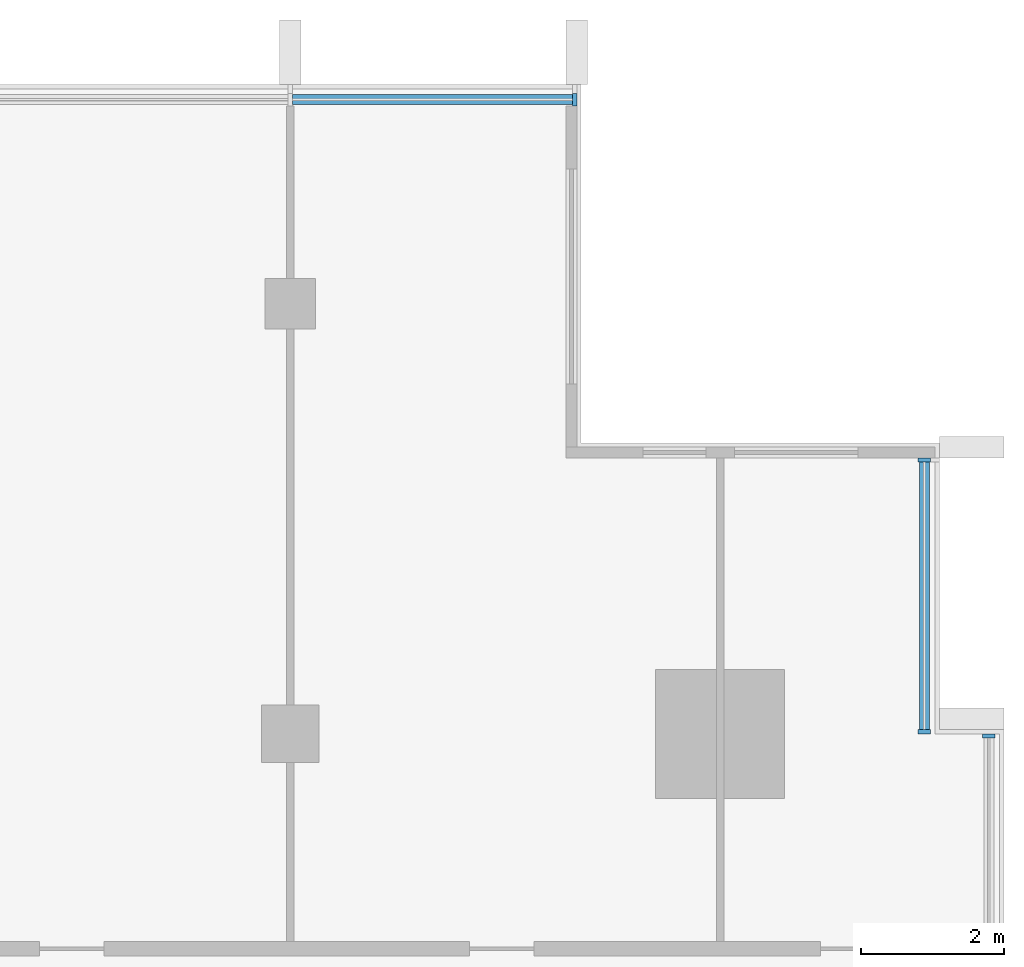
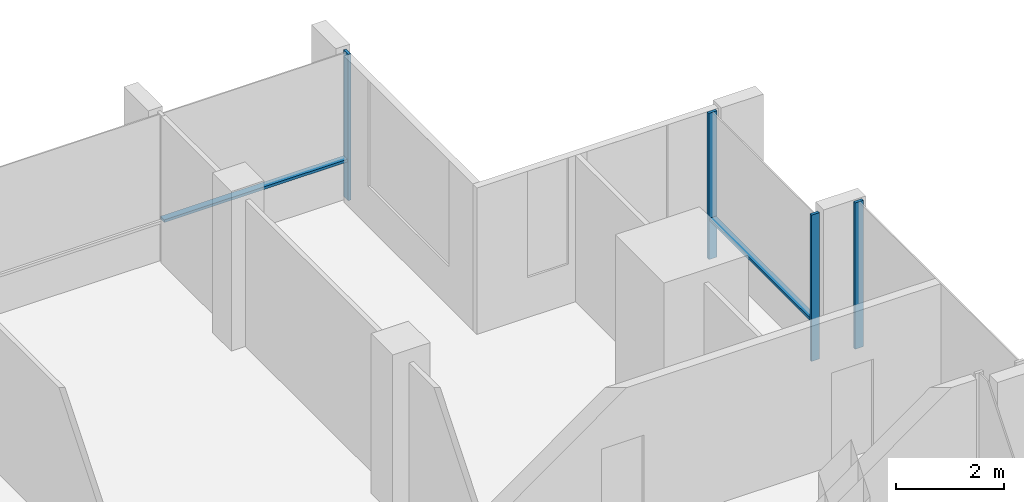
# One storey, part 5 of 15: 6 members, 3 elements without a shape of their own.
"""IFC4 building model written with IfcOpenShell, lengths in metres."""

from ifc_helpers import new_model, si_unit, direction, frame, origin, origin_2d, place, context, subcontext, project, spatial, rectangle, extrude, material, material_profile, profile_set, type_object, element, aggregate, save


model = new_model("IFC4")

# Units and contexts
model_context = context("Model", 3, precision=1e-05, world=origin(), true_north=direction((0.0, 1.0)))
body_context = subcontext(model_context, "Body", "Model", "MODEL_VIEW")
ifc_project = project(units=[si_unit("LENGTHUNIT", "METRE"), si_unit("AREAUNIT", "SQUARE_METRE"), si_unit("VOLUMEUNIT", "CUBIC_METRE"), si_unit("PLANEANGLEUNIT", "RADIAN"), si_unit("MASSUNIT", "GRAM", prefix="KILO")], contexts=[model_context])

# Site, building, storey
site_placement = place(None, origin())
site = spatial("IfcSite", under=ifc_project, at=site_placement, CompositionType="ELEMENT")
building_placement = place(site_placement, origin())
building = spatial("IfcBuilding", under=site, at=building_placement, Name="Finial Court Residences", CompositionType="ELEMENT")
storey_placement = place(building_placement, frame((0.0, 0.0, 266.300048828125)))
storey = spatial("IfcBuildingStorey", under=building, at=storey_placement, Name="L67", CompositionType="ELEMENT", Elevation=266.300048828125)

# Curtain wall, member
ifc_material = material(Name="Bronze anodised aluminium", Category="aluminium")
curtain_wall_type = type_object("IfcCurtainWallType", Name="Unitised curtain wall, upper zones", PredefinedType="NOTDEFINED", material=ifc_material)
curtain_wall_1_placement = place(storey_placement, origin())
curtain_wall_1 = element("IfcCurtainWall", 1, at=curtain_wall_1_placement, inside=storey, type_object=curtain_wall_type, Name="E-L67-CW-N3", PredefinedType="NOTDEFINED")
ifc_material_profile_1 = material_profile(ifc_material, rectangle(XDim=0.175048828125, YDim=0.06005859375, at=origin_2d()), Name="CW2 mullion 60 x 175")
ifc_profile_set_1 = profile_set([ifc_material_profile_1], Name="Bronze anodised aluminium")
member_type_1 = type_object("IfcMemberType", Name="CW2 mullion 60 x 175", PredefinedType="MULLION", material=ifc_profile_set_1)
member_1_placement = place(storey_placement, frame((14.469970703125, 16.35009765625, 0.0), z_axis=(0.0, 0.0, 1.0), x_axis=(0.0, 1.0, 0.0)))
member_1 = element("IfcMember", 2, at=member_1_placement, type_object=member_type_1, Name="CW2 mullion 3", PredefinedType="MULLION", context=body_context, shape_type="SweptSolid", body=[
    extrude(rectangle(XDim=0.175048828125, YDim=0.06005859375, at=origin_2d()), origin(), (0.0, 0.0, 1.0), 3.300048828125),
])

curtain_wall_2_placement = place(storey_placement, origin())
curtain_wall_2 = element("IfcCurtainWall", 3, at=curtain_wall_2_placement, inside=storey, type_object=curtain_wall_type, Name="E-L67-CW-E6", PredefinedType="NOTDEFINED")
member_2_placement = place(storey_placement, frame((20.25, 7.469970703125, 0.0), z_axis=(0.0, 0.0, 1.0), x_axis=(-1.0, 0.0, 0.0)))
member_2 = element("IfcMember", 4, at=member_2_placement, type_object=member_type_1, Name="CW2 mullion 2", PredefinedType="MULLION", context=body_context, shape_type="SweptSolid", body=[
    extrude(rectangle(XDim=0.175048828125, YDim=0.06005859375, at=origin_2d()), origin(), (0.0, 0.0, 1.0), 3.300048828125),
])
aggregate(curtain_wall_2, [member_2])

# Curtain wall, members
curtain_wall_3_placement = place(storey_placement, origin())
curtain_wall_3 = element("IfcCurtainWall", 5, at=curtain_wall_3_placement, inside=storey, type_object=curtain_wall_type, Name="E-L67-CW-E7", PredefinedType="NOTDEFINED")
member_3_placement = place(storey_placement, frame((19.35009765625, 7.530029296875, 0.0), z_axis=(0.0, 0.0, 1.0), x_axis=(-1.0, 0.0, 0.0)))
member_3 = element("IfcMember", 6, at=member_3_placement, type_object=member_type_1, Name="CW2 mullion 1", PredefinedType="MULLION", context=body_context, shape_type="SweptSolid", body=[
    extrude(rectangle(XDim=0.175048828125, YDim=0.06005859375, at=origin_2d()), origin(), (0.0, 0.0, 1.0), 3.300048828125),
])
member_4_placement = place(storey_placement, frame((19.35009765625, 11.320068359375, 0.0), z_axis=(0.0, 0.0, 1.0), x_axis=(-1.0, 0.0, 0.0)))
member_4 = element("IfcMember", 7, at=member_4_placement, type_object=member_type_1, Name="CW2 mullion 2", PredefinedType="MULLION", context=body_context, shape_type="SweptSolid", body=[
    extrude(rectangle(XDim=0.175048828125, YDim=0.06005859375, at=origin_2d()), origin(), (0.0, 0.0, 1.0), 3.300048828125),
])

# Member
ifc_material_profile_2 = material_profile(ifc_material, rectangle(XDim=0.139892578125, YDim=0.06005859375, at=origin_2d()), Name="CW2 transom 60 x 140")
ifc_profile_set_2 = profile_set([ifc_material_profile_2], Name="Bronze anodised aluminium")
member_type_2 = type_object("IfcMemberType", Name="CW2 transom 60 x 140", PredefinedType="USERDEFINED", material=ifc_profile_set_2)
member_5_placement = place(storey_placement, frame((10.530029296875, 16.35009765625, 0.89990234375), z_axis=(1.0, 0.0, 0.0), x_axis=(0.0, 1.0, 0.0)))
member_5 = element("IfcMember", 8, at=member_5_placement, type_object=member_type_2, Name="CW2 transom 2.1", ObjectType="TRANSOM", PredefinedType="USERDEFINED", context=body_context, shape_type="SweptSolid", body=[
    extrude(rectangle(XDim=0.139892578125, YDim=0.06005859375, at=origin_2d()), origin(), (0.0, 0.0, 1.0), 3.909912109375),
])

aggregate(curtain_wall_1, [member_1, member_5])

member_6_placement = place(storey_placement, frame((19.35009765625, 7.56005859375, 0.89990234375), z_axis=(0.0, 1.0, 0.0), x_axis=(-1.0, 0.0, 0.0)))
member_6 = element("IfcMember", 9, at=member_6_placement, type_object=member_type_2, Name="CW2 transom 1.1", ObjectType="TRANSOM", PredefinedType="USERDEFINED", context=body_context, shape_type="SweptSolid", body=[
    extrude(rectangle(XDim=0.139892578125, YDim=0.06005859375, at=origin_2d()), origin(), (0.0, 0.0, 1.0), 3.72998046875),
])

aggregate(curtain_wall_3, [member_3, member_4, member_6])

save(model, "model.ifc")
